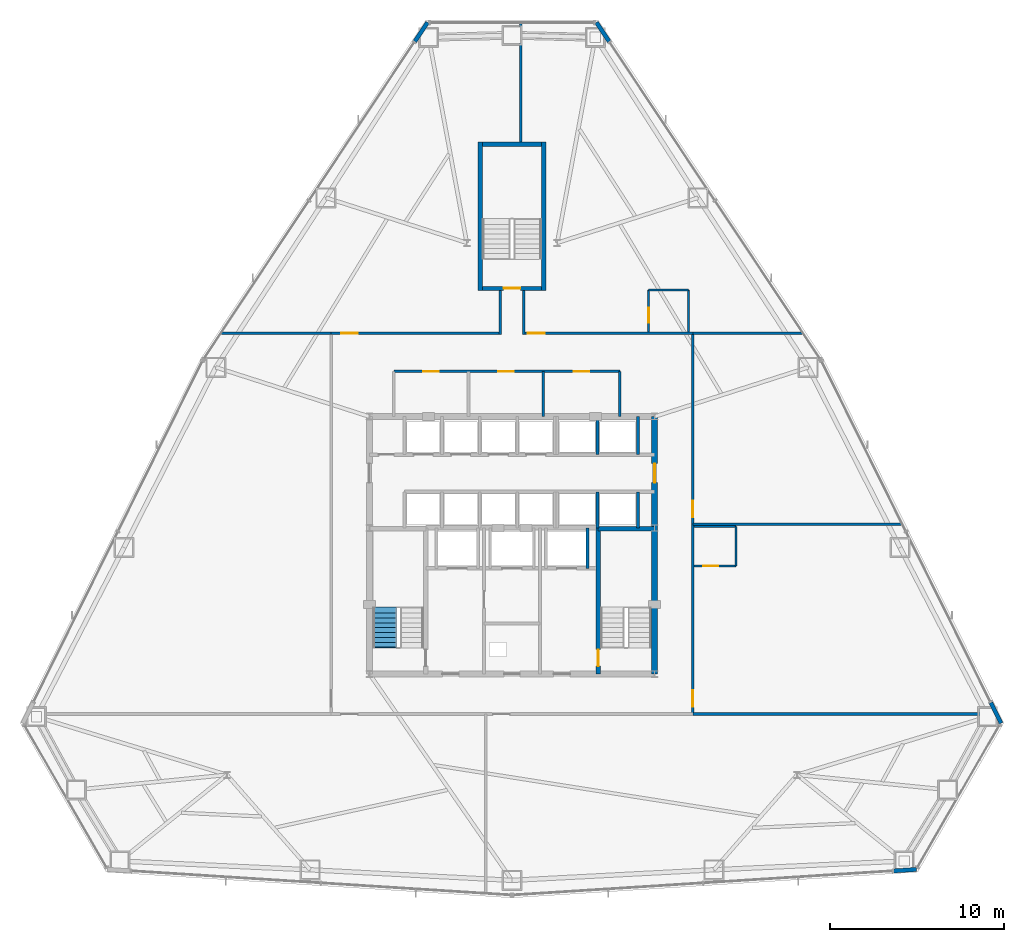
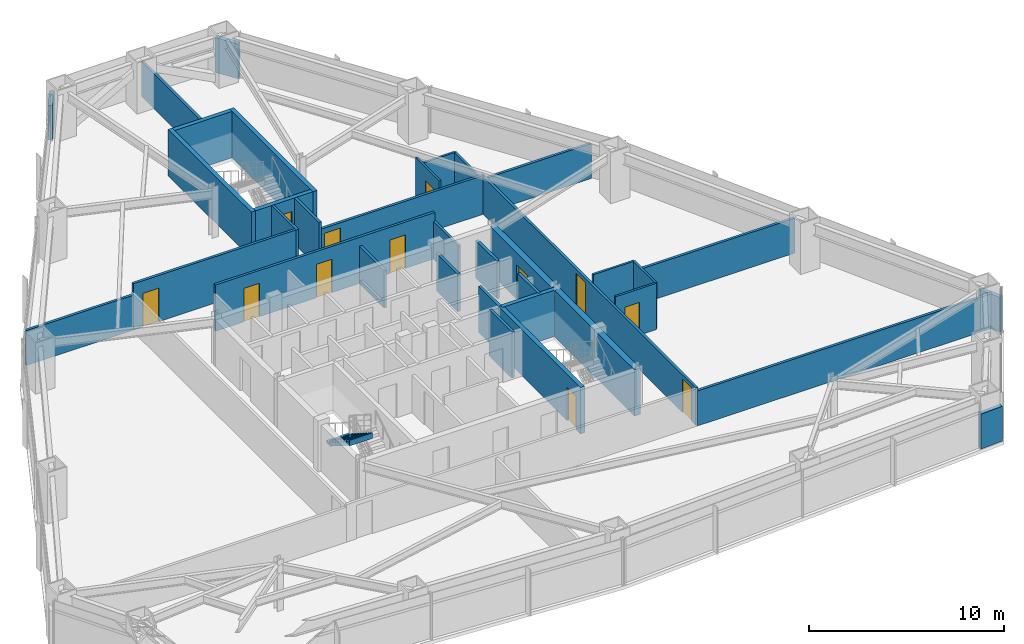
# One storey, part 10 of 12: 35 walls, 12 doors, 1 stair flight, 12 openings, 1 element without a shape of its own.
"""IFC4 building model written with IfcOpenShell, lengths in metres."""

from ifc_helpers import new_model, si_unit, direction, frame, frame_2d, origin, place, context, subcontext, project, spatial, polyline, rectangle, outline, extrude, material, layer, layer_set, type_object, element, fill, aggregate, save


model = new_model("IFC4")

# Units and contexts
model_context = context("Model", 3, precision=1e-05, world=origin(), true_north=direction((0.0, 1.0)))
body_context = subcontext(model_context, "Body", "Model", "MODEL_VIEW")
ifc_project = project(units=[si_unit("LENGTHUNIT", "METRE"), si_unit("AREAUNIT", "SQUARE_METRE"), si_unit("VOLUMEUNIT", "CUBIC_METRE"), si_unit("PLANEANGLEUNIT", "RADIAN"), si_unit("MASSUNIT", "GRAM", prefix="KILO")], contexts=[model_context])

# Site, building, storey
site_placement = place(None, origin())
site = spatial("IfcSite", under=ifc_project, at=site_placement, CompositionType="ELEMENT")
building_placement = place(site_placement, origin())
building = spatial("IfcBuilding", under=site, at=building_placement, Name="Varakhsha Concourse Tower", CompositionType="ELEMENT")
storey_placement = place(building_placement, frame((0.0, 0.0, 65.60009765625)))
storey = spatial("IfcBuildingStorey", under=building, at=storey_placement, Name="L18", CompositionType="ELEMENT", Elevation=65.60009765625)

# Wall, opening, door
ifc_material_1 = material(Name="Concrete fc 65 MPa", Category="concrete")
ifc_layer_1 = layer(ifc_material_1, 0.35009765625, Name="WL-CORE-350")
ifc_layer_set_1 = layer_set([ifc_layer_1], Name="Concrete fc 65 MPa")
wall_type_1 = type_object("IfcWallType", Name="WL-CORE-350", PredefinedType="SHEAR", material=ifc_layer_set_1)
wall_1_placement = place(storey_placement, frame((48.199951171875, 16.39990234375, 0.0), z_axis=(0.0, 0.0, 1.0), x_axis=(0.0, 1.0, 0.0)))
wall_1 = element("IfcWall", 1, at=wall_1_placement, inside=storey, type_object=wall_type_1, Name="L18 Wall CWALL-E-L18", PredefinedType="SHEAR", context=body_context, shape_type="SweptSolid", body=[
    extrude(rectangle(XDim=14.800048828125, YDim=0.35009765625, at=frame_2d((7.39990234375, 0.0))), origin(), (0.0, 0.0, 1.0), 2.89990234375),
])
opening_1_placement = place(wall_1_placement, frame((11.0, 0.0, 0.0)))
opening_1 = element("IfcOpeningElement", 2, at=opening_1_placement, cuts=wall_1, Name="Opening DL-01", PredefinedType="OPENING", context=body_context, shape_type="SweptSolid", body=[
    extrude(rectangle(XDim=1.10009765625, YDim=2.14990234375, at=frame_2d((0.550048828125, 1.074951171875))), frame((0.0, 0.18505859375, 0.0), z_axis=(0.0, -1.0, 0.0), x_axis=(1.0, 0.0, 0.0)), (0.0, 0.0, 1.0), 0.3701171875),
])
ifc_material_2 = material(Name="Anodised Bronze Architectural Aluminium AA 6063-T6", Category="aluminium")
door_type_1 = type_object("IfcDoorType", Name="DR-LOB-1100", OperationType="NOTDEFINED", PredefinedType="DOOR", material=ifc_material_2)
door_1_placement = place(opening_1_placement, origin())
door_1 = element("IfcDoor", 3, at=door_1_placement, inside=storey, type_object=door_type_1, Name="L18 Lift Lobby East Concourse Door", OperationType="SINGLE_SWING_RIGHT", OverallHeight=2.14990234375, OverallWidth=1.10009765625, PredefinedType="DOOR", context=body_context, shape_type="SweptSolid", body=[
    extrude(rectangle(XDim=1.10009765625, YDim=2.14990234375, at=frame_2d((0.550048828125, 1.074951171875))), frame((0.0, 0.02490234375, 0.0), z_axis=(0.0, -1.0, 0.0), x_axis=(1.0, 0.0, 0.0)), (0.0, 0.0, 1.0), 0.050048828125),
])
fill(opening_1, door_1)

# Walls
ifc_material_3 = material(Name="Concrete fc 45 MPa", Category="concrete")
ifc_layer_2 = layer(ifc_material_3, 0.239990234375, Name="WL-EXT-CRN-240")
ifc_layer_set_2 = layer_set([ifc_layer_2], Name="Concrete fc 45 MPa")
wall_type_2 = type_object("IfcWallType", Name="WL-EXT-CRN-240", PredefinedType="SHEAR", material=ifc_layer_set_2)
wall_2_placement = place(storey_placement, frame((35.1435546875, 53.876220703125, 0.0), z_axis=(0.0, 0.0, 1.0), x_axis=(-0.553976279589, -0.832532450811, 0.0)))
element("IfcWall", 4, at=wall_2_placement, inside=storey, type_object=wall_type_2, Name="L18 Wind-Corner Shoulder Wall F2", PredefinedType="SHEAR", context=body_context, shape_type="SweptSolid", body=[
    extrude(rectangle(XDim=1.323486328125, YDim=0.239990234375, at=frame_2d((0.66162109375, 0.0))), origin(), (0.0, 0.0, 1.0), 2.182861328125),
])
wall_3_placement = place(storey_placement, frame((61.951171875, 5.072021484375, 0.0), z_axis=(0.0, 0.0, 1.0), x_axis=(0.997985265632, 0.063446115575, 0.0)))
element("IfcWall", 5, at=wall_3_placement, inside=storey, type_object=wall_type_2, Name="L18 Wind-Corner Shoulder Wall F6", PredefinedType="SHEAR", context=body_context, shape_type="SweptSolid", body=[
    extrude(rectangle(XDim=1.32373046875, YDim=0.239990234375, at=frame_2d((0.661865234375, 0.0))), origin(), (0.0, 0.0, 1.0), 2.182861328125),
])
for number, where, z_axis, x_axis, name in (
    (6, (68.128662109375, 13.56787109375, 0.0), (0.0, 0.0, 1.0), (-0.444037765369, 0.896008070793, 0.0), "L18 Wind-Corner Shoulder Wall F8"),
    (7, (45.589599609375, 52.7744140625, 0.0), (0.0, 0.0, 1.0), (-0.553976279589, 0.832532450811, 0.0), "L18 Wind-Corner Shoulder Wall F9"),
):
    element("IfcWall", number, at=place(storey_placement, frame(where, z_axis=z_axis, x_axis=x_axis)), inside=storey, type_object=wall_type_2, Name=name, PredefinedType="SHEAR", context=body_context, shape_type="SweptSolid", body=[
        extrude(rectangle(XDim=1.323486328125, YDim=0.239990234375, at=frame_2d((0.66162109375, 0.0))), origin(), (0.0, 0.0, 1.0), 2.182861328125),
    ])
ifc_material_4 = material(Name="Acoustic Gypsum Board Partition Assembly", Category="gypsum")
ifc_layer_3 = layer(ifc_material_4, 0.1201171875, Name="WL-PART-120")
ifc_layer_set_3 = layer_set([ifc_layer_3], Name="Acoustic Gypsum Board Partition Assembly")
wall_type_3 = type_object("IfcWallType", Name="WL-PART-120", PredefinedType="PARTITIONING", material=ifc_layer_set_3)
wall_4_placement = place(storey_placement, frame((52.889892578125, 22.610107421875, 0.0), z_axis=(0.0, 0.0, 1.0), x_axis=(0.0, 1.0, 0.0)))
element("IfcWall", 8, at=wall_4_placement, inside=storey, type_object=wall_type_3, Name="L18 Wall ENSW-E-L18-H04", PredefinedType="PARTITIONING", context=body_context, shape_type="SweptSolid", body=[
    extrude(rectangle(XDim=2.27978515625, YDim=0.1201171875, at=frame_2d((1.139892578125, 0.0))), origin(), (0.0, 0.0, 1.0), 2.89990234375),
])

# Wall, opening, door
wall_5_placement = place(storey_placement, frame((50.4599609375, 22.610107421875, 0.0), z_axis=(0.0, 0.0, 1.0), x_axis=(1.0, 0.0, 0.0)))
wall_5 = element("IfcWall", 9, at=wall_5_placement, inside=storey, type_object=wall_type_3, Name="L18 Wall ENSW-S-L18-H04", PredefinedType="PARTITIONING", context=body_context, shape_type="SweptSolid", body=[
    extrude(rectangle(XDim=2.429931640625, YDim=0.1201171875, at=frame_2d((1.21484375, 0.0))), origin(), (0.0, 0.0, 1.0), 2.89990234375),
])
opening_2_placement = place(wall_5_placement, frame((0.550048828125, 0.0, 0.0)))
opening_2 = element("IfcOpeningElement", 10, at=opening_2_placement, cuts=wall_5, Name="Opening DI-01", PredefinedType="OPENING", context=body_context, shape_type="SweptSolid", body=[
    extrude(rectangle(XDim=0.85009765625, YDim=2.050048828125, at=frame_2d((0.425048828125, 1.02490234375))), frame((0.0, 0.070068359375, 0.0), z_axis=(0.0, -1.0, 0.0), x_axis=(1.0, 0.0, 0.0)), (0.0, 0.0, 1.0), 0.14013671875),
])
ifc_material_5 = material(Name="Architectural Walnut Acoustic Timber Door", Category="wood")
door_type_2 = type_object("IfcDoorType", Name="DR-INT-850", OperationType="NOTDEFINED", PredefinedType="DOOR", material=ifc_material_5)
door_2_placement = place(opening_2_placement, origin())
door_2 = element("IfcDoor", 11, at=door_2_placement, inside=storey, type_object=door_type_2, Name="L18 En-suite Bathroom Door L18-H04", OperationType="SINGLE_SWING_RIGHT", OverallHeight=2.050048828125, OverallWidth=0.85009765625, PredefinedType="DOOR", context=body_context, shape_type="SweptSolid", body=[
    extrude(rectangle(XDim=0.85009765625, YDim=2.050048828125, at=frame_2d((0.425048828125, 1.02490234375))), frame((0.0, 0.02490234375, 0.0), z_axis=(0.0, -1.0, 0.0), x_axis=(1.0, 0.0, 0.0)), (0.0, 0.0, 1.0), 0.050048828125),
])
fill(opening_2, door_2)

# Wall
wall_6_placement = place(storey_placement, frame((50.4599609375, 24.889892578125, 0.0), z_axis=(0.0, 0.0, 1.0), x_axis=(1.0, 0.0, 0.0)))
element("IfcWall", 12, at=wall_6_placement, inside=storey, type_object=wall_type_3, Name="L18 Wall ENSW-N-L18-H04", PredefinedType="PARTITIONING", context=body_context, shape_type="SweptSolid", body=[
    extrude(rectangle(XDim=2.429931640625, YDim=0.1201171875, at=frame_2d((1.21484375, 0.0))), origin(), (0.0, 0.0, 1.0), 2.89990234375),
])

# Wall, opening, door
wall_7_placement = place(storey_placement, frame((47.860107421875, 36.06005859375, 0.0), z_axis=(0.0, 0.0, 1.0), x_axis=(0.0, 1.0, 0.0)))
wall_7 = element("IfcWall", 13, at=wall_7_placement, inside=storey, type_object=wall_type_3, Name="L18 Wall ENSW-W-L18-H07", PredefinedType="PARTITIONING", context=body_context, shape_type="SweptSolid", body=[
    extrude(rectangle(XDim=2.429931640625, YDim=0.1201171875, at=frame_2d((1.21484375, 0.0))), origin(), (0.0, 0.0, 1.0), 2.89990234375),
])
opening_3_placement = place(wall_7_placement, frame((0.550048828125, 0.0, 0.0)))
opening_3 = element("IfcOpeningElement", 14, at=opening_3_placement, cuts=wall_7, Name="Opening DI-01", PredefinedType="OPENING", context=body_context, shape_type="SweptSolid", body=[
    extrude(rectangle(XDim=0.85009765625, YDim=2.050048828125, at=frame_2d((0.425048828125, 1.02490234375))), frame((0.0, 0.070068359375, 0.0), z_axis=(0.0, -1.0, 0.0), x_axis=(1.0, 0.0, 0.0)), (0.0, 0.0, 1.0), 0.14013671875),
])
door_3_placement = place(opening_3_placement, origin())
door_3 = element("IfcDoor", 15, at=door_3_placement, inside=storey, type_object=door_type_2, Name="L18 En-suite Bathroom Door L18-H07", OperationType="SINGLE_SWING_RIGHT", OverallHeight=2.050048828125, OverallWidth=0.85009765625, PredefinedType="DOOR", context=body_context, shape_type="SweptSolid", body=[
    extrude(rectangle(XDim=0.85009765625, YDim=2.050048828125, at=frame_2d((0.425048828125, 1.02490234375))), frame((0.0, 0.02490234375, 0.0), z_axis=(0.0, -1.0, 0.0), x_axis=(1.0, 0.0, 0.0)), (0.0, 0.0, 1.0), 0.050048828125),
])
fill(opening_3, door_3)

# Walls
wall_8_placement = place(storey_placement, frame((50.139892578125, 36.06005859375, 0.0), z_axis=(0.0, 0.0, 1.0), x_axis=(0.0, 1.0, 0.0)))
element("IfcWall", 16, at=wall_8_placement, inside=storey, type_object=wall_type_3, Name="L18 Wall ENSW-E-L18-H07", PredefinedType="PARTITIONING", context=body_context, shape_type="SweptSolid", body=[
    extrude(rectangle(XDim=2.429931640625, YDim=0.1201171875, at=frame_2d((1.21484375, 0.0))), origin(), (0.0, 0.0, 1.0), 2.432861328125),
])
wall_9_placement = place(storey_placement, frame((47.860107421875, 38.489990234375, 0.0), z_axis=(0.0, 0.0, 1.0), x_axis=(1.0, 0.0, 0.0)))
element("IfcWall", 17, at=wall_9_placement, inside=storey, type_object=wall_type_3, Name="L18 Wall ENSW-N-L18-H07", PredefinedType="PARTITIONING", context=body_context, shape_type="SweptSolid", body=[
    extrude(rectangle(XDim=2.27978515625, YDim=0.1201171875, at=frame_2d((1.139892578125, 0.0))), origin(), (0.0, 0.0, 1.0), 2.432861328125),
])

# Wall, openings, doors
ifc_material_6 = material(Name="Fire-Rated Type X Gypsum Partition Assembly", Category="gypsum")
ifc_layer_4 = layer(ifc_material_6, 0.14990234375, Name="WL-PART-150")
ifc_layer_set_4 = layer_set([ifc_layer_4], Name="Fire-Rated Type X Gypsum Partition Assembly")
wall_type_4 = type_object("IfcWallType", Name="WL-PART-150", PredefinedType="PARTITIONING", material=ifc_layer_set_4)
wall_10_placement = place(storey_placement, frame((33.199951171875, 33.800048828125, 0.0), z_axis=(0.0, 0.0, 1.0), x_axis=(1.0, 0.0, 0.0)))
wall_10 = element("IfcWall", 18, at=wall_10_placement, inside=storey, type_object=wall_type_4, Name="L18 Wall NBOH-N-L18", PredefinedType="PARTITIONING", context=body_context, shape_type="SweptSolid", body=[
    extrude(rectangle(XDim=13.0, YDim=0.14990234375, at=frame_2d((6.5, 0.0))), origin(), (0.0, 0.0, 1.0), 2.89990234375),
])
opening_4_placement = place(wall_10_placement, frame((1.699951171875, 0.0, 0.0)))
opening_4 = element("IfcOpeningElement", 19, at=opening_4_placement, cuts=wall_10, Name="Opening DF-06", PredefinedType="OPENING", context=body_context, shape_type="SweptSolid", body=[
    extrude(rectangle(XDim=0.89990234375, YDim=2.10009765625, at=frame_2d((0.449951171875, 1.050048828125))), frame((0.0, 0.0849609375, 0.0), z_axis=(0.0, -1.0, 0.0), x_axis=(1.0, 0.0, 0.0)), (0.0, 0.0, 1.0), 0.169921875),
])
opening_5_placement = place(wall_10_placement, frame((6.0, 0.0, 0.0)))
opening_5 = element("IfcOpeningElement", 20, at=opening_5_placement, cuts=wall_10, Name="Opening DF-06", PredefinedType="OPENING", context=body_context, shape_type="SweptSolid", body=[
    extrude(rectangle(XDim=0.89990234375, YDim=2.10009765625, at=frame_2d((0.449951171875, 1.050048828125))), frame((0.0, 0.0849609375, 0.0), z_axis=(0.0, -1.0, 0.0), x_axis=(1.0, 0.0, 0.0)), (0.0, 0.0, 1.0), 0.169921875),
])
opening_6_placement = place(wall_10_placement, frame((10.35009765625, 0.0, 0.0)))
opening_6 = element("IfcOpeningElement", 21, at=opening_6_placement, cuts=wall_10, Name="Opening DF-06", PredefinedType="OPENING", context=body_context, shape_type="SweptSolid", body=[
    extrude(rectangle(XDim=0.89990234375, YDim=2.10009765625, at=frame_2d((0.449951171875, 1.050048828125))), frame((0.0, 0.0849609375, 0.0), z_axis=(0.0, -1.0, 0.0), x_axis=(1.0, 0.0, 0.0)), (0.0, 0.0, 1.0), 0.169921875),
])
ifc_material_7 = material(Name="Hollow Galvanised Steel Fire Door Assembly", Category="steel")
door_type_3 = type_object("IfcDoorType", Name="DR-FD60-900", OperationType="NOTDEFINED", PredefinedType="DOOR", material=ifc_material_7)
door_4_placement = place(opening_4_placement, origin())
door_4 = element("IfcDoor", 22, at=door_4_placement, inside=storey, type_object=door_type_3, Name="L18 Housekeeping and Linen Room Door", OperationType="SINGLE_SWING_LEFT", OverallHeight=2.10009765625, OverallWidth=0.89990234375, PredefinedType="DOOR", context=body_context, shape_type="SweptSolid", body=[
    extrude(rectangle(XDim=0.89990234375, YDim=2.10009765625, at=frame_2d((0.449951171875, 1.050048828125))), frame((0.0, 0.02490234375, 0.0), z_axis=(0.0, -1.0, 0.0), x_axis=(1.0, 0.0, 0.0)), (0.0, 0.0, 1.0), 0.050048828125),
])
fill(opening_4, door_4)
door_5_placement = place(opening_5_placement, origin())
door_5 = element("IfcDoor", 23, at=door_5_placement, inside=storey, type_object=door_type_3, Name="L18 Accessible WC Door", OperationType="SINGLE_SWING_RIGHT", OverallHeight=2.10009765625, OverallWidth=0.89990234375, PredefinedType="DOOR", context=body_context, shape_type="SweptSolid", body=[
    extrude(rectangle(XDim=0.89990234375, YDim=2.10009765625, at=frame_2d((0.449951171875, 1.050048828125))), frame((0.0, 0.02490234375, 0.0), z_axis=(0.0, -1.0, 0.0), x_axis=(1.0, 0.0, 0.0)), (0.0, 0.0, 1.0), 0.050048828125),
])
fill(opening_5, door_5)
door_6_placement = place(opening_6_placement, origin())
door_6 = element("IfcDoor", 24, at=door_6_placement, inside=storey, type_object=door_type_3, Name="L18 Staff Restroom WC Door", OperationType="SINGLE_SWING_LEFT", OverallHeight=2.10009765625, OverallWidth=0.89990234375, PredefinedType="DOOR", context=body_context, shape_type="SweptSolid", body=[
    extrude(rectangle(XDim=0.89990234375, YDim=2.10009765625, at=frame_2d((0.449951171875, 1.050048828125))), frame((0.0, 0.02490234375, 0.0), z_axis=(0.0, -1.0, 0.0), x_axis=(1.0, 0.0, 0.0)), (0.0, 0.0, 1.0), 0.050048828125),
])
fill(opening_6, door_6)

# Walls
for number, where, z_axis, x_axis, name in (
    (25, (46.199951171875, 31.199951171875, 0.0), (0.0, 0.0, 1.0), (0.0, 1.0, 0.0), "L18 Wall NBOH-E-L18"),
    (26, (41.800048828125, 31.199951171875, 0.0), (0.0, 0.0, 1.0), (0.0, 1.0, 0.0), "L18 Wall NBOH-D2-L18"),
):
    element("IfcWall", number, at=place(storey_placement, frame(where, z_axis=z_axis, x_axis=x_axis)), inside=storey, type_object=wall_type_4, Name=name, PredefinedType="PARTITIONING", context=body_context, shape_type="SweptSolid", body=[
        extrude(rectangle(XDim=2.60009765625, YDim=0.14990234375, at=frame_2d((1.300048828125, 0.0))), origin(), (0.0, 0.0, 1.0), 2.350830078125),
    ])

# Wall, opening, door
wall_11_placement = place(storey_placement, frame((29.60009765625, 36.0, 0.0), z_axis=(0.0, 0.0, 1.0), x_axis=(1.0, 0.0, 0.0)))
wall_11 = element("IfcWall", 27, at=wall_11_placement, inside=storey, type_object=wall_type_4, Name="L18 Wall CRW-N-L18", PredefinedType="PARTITIONING", context=body_context, shape_type="SweptSolid", body=[
    extrude(rectangle(XDim=9.64990234375, YDim=0.14990234375, at=frame_2d((4.824951171875, 0.0))), origin(), (0.0, 0.0, 1.0), 2.89990234375),
])
opening_7_placement = place(wall_11_placement, frame((0.570068359375, 0.0, 0.0)))
opening_7 = element("IfcOpeningElement", 28, at=opening_7_placement, cuts=wall_11, Name="Opening DF-05", PredefinedType="OPENING", context=body_context, shape_type="SweptSolid", body=[
    extrude(rectangle(XDim=0.949951171875, YDim=2.10009765625, at=frame_2d((0.47509765625, 1.050048828125))), frame((0.0, 0.0849609375, 0.0), z_axis=(0.0, -1.0, 0.0), x_axis=(1.0, 0.0, 0.0)), (0.0, 0.0, 1.0), 0.169921875),
])
door_type_4 = type_object("IfcDoorType", Name="DR-FD60-950", OperationType="NOTDEFINED", PredefinedType="DOOR", material=ifc_material_7)
door_7_placement = place(opening_7_placement, origin())
door_7 = element("IfcDoor", 29, at=door_7_placement, inside=storey, type_object=door_type_4, Name="L18 Hotel Executive Salon L18-H06 Door", OperationType="SINGLE_SWING_RIGHT", OverallHeight=2.10009765625, OverallWidth=0.949951171875, PredefinedType="DOOR", context=body_context, shape_type="SweptSolid", body=[
    extrude(rectangle(XDim=0.949951171875, YDim=2.10009765625, at=frame_2d((0.47509765625, 1.050048828125))), frame((0.0, 0.02490234375, 0.0), z_axis=(0.0, -1.0, 0.0), x_axis=(1.0, 0.0, 0.0)), (0.0, 0.0, 1.0), 0.050048828125),
])
fill(opening_7, door_7)

wall_12_placement = place(storey_placement, frame((40.75, 36.0, 0.0), z_axis=(0.0, 0.0, 1.0), x_axis=(1.0, 0.0, 0.0)))
wall_12 = element("IfcWall", 30, at=wall_12_placement, inside=storey, type_object=wall_type_4, Name="L18 Wall CRW-N-L18-B", PredefinedType="PARTITIONING", context=body_context, shape_type="SweptSolid", body=[
    extrude(rectangle(XDim=9.64990234375, YDim=0.14990234375, at=frame_2d((4.824951171875, 0.0))), origin(), (0.0, 0.0, 1.0), 2.432861328125),
])
opening_8_placement = place(wall_12_placement, frame((0.169921875, 0.0, 0.0)))
opening_8 = element("IfcOpeningElement", 31, at=opening_8_placement, cuts=wall_12, Name="Opening DF-05", PredefinedType="OPENING", context=body_context, shape_type="SweptSolid", body=[
    extrude(rectangle(XDim=0.949951171875, YDim=2.10009765625, at=frame_2d((0.47509765625, 1.050048828125))), frame((0.0, 0.0849609375, 0.0), z_axis=(0.0, -1.0, 0.0), x_axis=(1.0, 0.0, 0.0)), (0.0, 0.0, 1.0), 0.169921875),
])
door_8_placement = place(opening_8_placement, origin())
door_8 = element("IfcDoor", 32, at=door_8_placement, inside=storey, type_object=door_type_4, Name="L18 Hotel Corner Suite L18-H07 Entry Door", OperationType="SINGLE_SWING_LEFT", OverallHeight=2.10009765625, OverallWidth=0.949951171875, PredefinedType="DOOR", context=body_context, shape_type="SweptSolid", body=[
    extrude(rectangle(XDim=0.949951171875, YDim=2.10009765625, at=frame_2d((0.47509765625, 1.050048828125))), frame((0.0, 0.02490234375, 0.0), z_axis=(0.0, -1.0, 0.0), x_axis=(1.0, 0.0, 0.0)), (0.0, 0.0, 1.0), 0.050048828125),
])
fill(opening_8, door_8)

# Wall, openings, doors
wall_13_placement = place(storey_placement, frame((50.39990234375, 14.10009765625, 0.0), z_axis=(0.0, 0.0, 1.0), x_axis=(0.0, 1.0, 0.0)))
wall_13 = element("IfcWall", 33, at=wall_13_placement, inside=storey, type_object=wall_type_4, Name="L18 Wall CRW-E-L18", PredefinedType="PARTITIONING", context=body_context, shape_type="SweptSolid", body=[
    extrude(rectangle(XDim=21.89990234375, YDim=0.14990234375, at=frame_2d((10.949951171875, 0.0))), origin(), (0.0, 0.0, 1.0), 2.350830078125),
])
opening_9_placement = place(wall_13_placement, frame((0.419921875, 0.0, 0.0)))
opening_9 = element("IfcOpeningElement", 34, at=opening_9_placement, cuts=wall_13, Name="Opening DF-05", PredefinedType="OPENING", context=body_context, shape_type="SweptSolid", body=[
    extrude(rectangle(XDim=0.949951171875, YDim=2.10009765625, at=frame_2d((0.47509765625, 1.050048828125))), frame((0.0, 0.0849609375, 0.0), z_axis=(0.0, -1.0, 0.0), x_axis=(1.0, 0.0, 0.0)), (0.0, 0.0, 1.0), 0.169921875),
])
opening_10_placement = place(wall_13_placement, frame((11.320068359375, 0.0, 0.0)))
opening_10 = element("IfcOpeningElement", 35, at=opening_10_placement, cuts=wall_13, Name="Opening DF-05", PredefinedType="OPENING", context=body_context, shape_type="SweptSolid", body=[
    extrude(rectangle(XDim=0.949951171875, YDim=2.10009765625, at=frame_2d((0.47509765625, 1.050048828125))), frame((0.0, 0.0849609375, 0.0), z_axis=(0.0, -1.0, 0.0), x_axis=(1.0, 0.0, 0.0)), (0.0, 0.0, 1.0), 0.169921875),
])
door_9_placement = place(opening_9_placement, origin())
door_9 = element("IfcDoor", 36, at=door_9_placement, inside=storey, type_object=door_type_4, Name="L18 Hotel Corner Suite L18-H04 Entry Door", OperationType="SINGLE_SWING_RIGHT", OverallHeight=2.10009765625, OverallWidth=0.949951171875, PredefinedType="DOOR", context=body_context, shape_type="SweptSolid", body=[
    extrude(rectangle(XDim=0.949951171875, YDim=2.10009765625, at=frame_2d((0.47509765625, 1.050048828125))), frame((0.0, 0.02490234375, 0.0), z_axis=(0.0, -1.0, 0.0), x_axis=(1.0, 0.0, 0.0)), (0.0, 0.0, 1.0), 0.050048828125),
])
fill(opening_9, door_9)
door_10_placement = place(opening_10_placement, origin())
door_10 = element("IfcDoor", 37, at=door_10_placement, inside=storey, type_object=door_type_4, Name="L18 Diplomatic Conservatory Salon L18-H05 Door", OperationType="SINGLE_SWING_LEFT", OverallHeight=2.10009765625, OverallWidth=0.949951171875, PredefinedType="DOOR", context=body_context, shape_type="SweptSolid", body=[
    extrude(rectangle(XDim=0.949951171875, YDim=2.10009765625, at=frame_2d((0.47509765625, 1.050048828125))), frame((0.0, 0.02490234375, 0.0), z_axis=(0.0, -1.0, 0.0), x_axis=(1.0, 0.0, 0.0)), (0.0, 0.0, 1.0), 0.050048828125),
])
fill(opening_10, door_10)

# Walls
wall_14_placement = place(storey_placement, frame((23.25732421875, 36.0, 0.0), z_axis=(0.0, 0.0, 1.0), x_axis=(1.0, 0.0, 0.0)))
element("IfcWall", 38, at=wall_14_placement, inside=storey, type_object=wall_type_4, Name="L18 Wall HDIV-WBN-L18", PredefinedType="PARTITIONING", context=body_context, shape_type="SweptSolid", body=[
    extrude(rectangle(XDim=6.3427734375, YDim=0.14990234375, at=frame_2d((3.17138671875, 0.0))), origin(), (0.0, 0.0, 1.0), 2.18798828125),
])
wall_15_placement = place(storey_placement, frame((50.39990234375, 14.10009765625, 0.0), z_axis=(0.0, 0.0, 1.0), x_axis=(1.0, 0.0, 0.0)))
element("IfcWall", 39, at=wall_15_placement, inside=storey, type_object=wall_type_4, Name="L18 Wall HDIV-EB0-L18", PredefinedType="PARTITIONING", context=body_context, shape_type="SweptSolid", body=[
    extrude(rectangle(XDim=17.45947265625, YDim=0.14990234375, at=frame_2d((8.729736328125, 0.0))), origin(), (0.0, 0.0, 1.0), 2.18798828125),
])
wall_16_placement = place(storey_placement, frame((50.39990234375, 36.0, 0.0), z_axis=(0.0, 0.0, 1.0), x_axis=(1.0, 0.0, 0.0)))
element("IfcWall", 40, at=wall_16_placement, inside=storey, type_object=wall_type_4, Name="L18 Wall HDIV-EBN-L18", PredefinedType="PARTITIONING", context=body_context, shape_type="SweptSolid", body=[
    extrude(rectangle(XDim=6.3427734375, YDim=0.14990234375, at=frame_2d((3.17138671875, 0.0))), origin(), (0.0, 0.0, 1.0), 2.18798828125),
])
wall_17_placement = place(storey_placement, frame((50.39990234375, 25.0, 0.0), z_axis=(0.0, 0.0, 1.0), x_axis=(1.0, 0.0, 0.0)))
element("IfcWall", 41, at=wall_17_placement, inside=storey, type_object=wall_type_4, Name="L18 Wall HDIV-E1-L18", PredefinedType="PARTITIONING", context=body_context, shape_type="SweptSolid", body=[
    extrude(rectangle(XDim=12.056396484375, YDim=0.14990234375, at=frame_2d((6.0283203125, 0.0))), origin(), (0.0, 0.0, 1.0), 2.18798828125),
])
wall_18_placement = place(storey_placement, frame((40.5, 47.0, 0.0), z_axis=(0.0, 0.0, 1.0), x_axis=(0.0, 1.0, 0.0)))
element("IfcWall", 42, at=wall_18_placement, inside=storey, type_object=wall_type_4, Name="L18 Wall HDIV-N1-L18", PredefinedType="PARTITIONING", context=body_context, shape_type="SweptSolid", body=[
    extrude(rectangle(XDim=6.84912109375, YDim=0.14990234375, at=frame_2d((3.424560546875, 0.0))), origin(), (0.0, 0.0, 1.0), 2.18798828125),
])
for number, where, z_axis, x_axis, name in (
    (43, (39.324951171875, 35.925048828125, 0.0), (0.0, 0.0, 1.0), (0.0, 1.0, 0.0), "L18 Wall STUB-W-L18"),
    (44, (40.675048828125, 35.925048828125, 0.0), (0.0, 0.0, 1.0), (0.0, 1.0, 0.0), "L18 Wall STUB-E-L18"),
):
    element("IfcWall", number, at=place(storey_placement, frame(where, z_axis=z_axis, x_axis=x_axis)), inside=storey, type_object=wall_type_4, Name=name, PredefinedType="PARTITIONING", context=body_context, shape_type="SweptSolid", body=[
        extrude(rectangle(XDim=2.52490234375, YDim=0.14990234375, at=frame_2d((1.262451171875, 0.0))), origin(), (0.0, 0.0, 1.0), 2.89990234375),
    ])
ifc_layer_5 = layer(ifc_material_6, 0.199951171875, Name="WL-SHAFT-220")
ifc_layer_set_5 = layer_set([ifc_layer_5], Name="Fire-Rated Type X Gypsum Partition Assembly")
wall_type_5 = type_object("IfcWallType", Name="WL-SHAFT-220", PredefinedType="SOLIDWALL", material=ifc_layer_set_5)
wall_19_placement = place(storey_placement, frame((44.35009765625, 22.47998046875, 0.0), z_axis=(0.0, 0.0, 1.0), x_axis=(0.0, 1.0, 0.0)))
element("IfcWall", 45, at=wall_19_placement, inside=storey, type_object=wall_type_5, Name="L18 Wall SHW-FFL-2-E-L18", PredefinedType="SOLIDWALL", context=body_context, shape_type="SweptSolid", body=[
    extrude(rectangle(XDim=2.320068359375, YDim=0.159912109375, at=frame_2d((1.16015625, 0.0))), origin(), (0.0, 0.0, 1.0), 2.89990234375),
])
for number, where, z_axis, x_axis, name in (
    (46, (44.919921875, 29.02001953125, 0.0), (0.0, 0.0, 1.0), (0.0, 1.0, 0.0), "L18 Wall SHW-LF-P09-E-L18"),
    (47, (47.239990234375, 29.02001953125, 0.0), (0.0, 0.0, 1.0), (0.0, 1.0, 0.0), "L18 Wall SHW-LF-P10-E-L18"),
):
    element("IfcWall", number, at=place(storey_placement, frame(where, z_axis=z_axis, x_axis=x_axis)), inside=storey, type_object=wall_type_5, Name=name, PredefinedType="SOLIDWALL", context=body_context, shape_type="SweptSolid", body=[
        extrude(rectangle(XDim=2.179931640625, YDim=0.159912109375, at=frame_2d((1.08984375, 0.0))), origin(), (0.0, 0.0, 1.0), 2.350830078125),
    ])
for number, where, z_axis, x_axis, name in (
    (48, (44.919921875, 24.800048828125, 0.0), (0.0, 0.0, 1.0), (0.0, 1.0, 0.0), "L18 Wall SHW-LF-P11-E-L18"),
    (49, (47.239990234375, 24.800048828125, 0.0), (0.0, 0.0, 1.0), (0.0, 1.0, 0.0), "L18 Wall SHW-LF-P12-E-L18"),
):
    element("IfcWall", number, at=place(storey_placement, frame(where, z_axis=z_axis, x_axis=x_axis)), inside=storey, type_object=wall_type_5, Name=name, PredefinedType="SOLIDWALL", context=body_context, shape_type="SweptSolid", body=[
        extrude(rectangle(XDim=2.079833984375, YDim=0.159912109375, at=frame_2d((1.0400390625, 0.0))), origin(), (0.0, 0.0, 1.0), 2.89990234375),
    ])

# Wall, opening, door
ifc_layer_6 = layer(ifc_material_3, 0.25, Name="WL-STAIR-250")
ifc_layer_set_6 = layer_set([ifc_layer_6], Name="Concrete fc 45 MPa")
wall_type_6 = type_object("IfcWallType", Name="WL-STAIR-250", PredefinedType="SHEAR", material=ifc_layer_set_6)
wall_20_placement = place(storey_placement, frame((44.955078125, 16.39990234375, 0.0), z_axis=(0.0, 0.0, 1.0), x_axis=(0.0, 1.0, 0.0)))
wall_20 = element("IfcWall", 50, at=wall_20_placement, inside=storey, type_object=wall_type_6, Name="L18 Wall SWALL-ST2-W-L18", PredefinedType="SHEAR", context=body_context, shape_type="SweptSolid", body=[
    extrude(rectangle(XDim=8.400146484375, YDim=0.25, at=frame_2d((4.2001953125, 0.0))), origin(), (0.0, 0.0, 1.0), 2.89990234375),
])
opening_11_placement = place(wall_20_placement, frame((0.449951171875, 0.0, 0.0)))
opening_11 = element("IfcOpeningElement", 51, at=opening_11_placement, cuts=wall_20, Name="Opening DF-03", PredefinedType="OPENING", context=body_context, shape_type="SweptSolid", body=[
    extrude(rectangle(XDim=0.949951171875, YDim=2.10009765625, at=frame_2d((0.47509765625, 1.050048828125))), frame((0.0, 0.135009765625, 0.0), z_axis=(0.0, -1.0, 0.0), x_axis=(1.0, 0.0, 0.0)), (0.0, 0.0, 1.0), 0.27001953125),
])
door_type_5 = type_object("IfcDoorType", Name="DR-FD90-950", OperationType="NOTDEFINED", PredefinedType="DOOR", material=ifc_material_7)
door_11_placement = place(opening_11_placement, origin())
door_11 = element("IfcDoor", 52, at=door_11_placement, inside=storey, type_object=door_type_5, Name="L18 Stair ST2 Fire Door", OperationType="SINGLE_SWING_RIGHT", OverallHeight=2.10009765625, OverallWidth=0.949951171875, PredefinedType="DOOR", context=body_context, shape_type="SweptSolid", body=[
    extrude(rectangle(XDim=0.949951171875, YDim=2.10009765625, at=frame_2d((0.47509765625, 1.050048828125))), frame((0.0, 0.02490234375, 0.0), z_axis=(0.0, -1.0, 0.0), x_axis=(1.0, 0.0, 0.0)), (0.0, 0.0, 1.0), 0.050048828125),
])
fill(opening_11, door_11)

# Walls
wall_21_placement = place(storey_placement, frame((44.955078125, 24.7548828125, 0.0), z_axis=(0.0, 0.0, 1.0), x_axis=(1.0, 0.0, 0.0)))
element("IfcWall", 53, at=wall_21_placement, inside=storey, type_object=wall_type_6, Name="L18 Wall SWALL-ST2-N-L18", PredefinedType="SHEAR", context=body_context, shape_type="SweptSolid", body=[
    extrude(rectangle(XDim=3.244873046875, YDim=0.25, at=frame_2d((1.62255859375, 0.0))), origin(), (0.0, 0.0, 1.0), 2.89990234375),
])
for number, where, z_axis, x_axis, name in (
    (54, (38.175048828125, 38.449951171875, 0.0), (0.0, 0.0, 1.0), (0.0, 1.0, 0.0), "L18 Wall SWALL-ST5-W-L18"),
    (55, (41.824951171875, 38.449951171875, 0.0), (0.0, 0.0, 1.0), (0.0, 1.0, 0.0), "L18 Wall SWALL-ST5-E-L18"),
):
    element("IfcWall", number, at=place(storey_placement, frame(where, z_axis=z_axis, x_axis=x_axis)), inside=storey, type_object=wall_type_6, Name=name, PredefinedType="SHEAR", context=body_context, shape_type="SweptSolid", body=[
        extrude(rectangle(XDim=8.550048828125, YDim=0.25, at=frame_2d((4.27490234375, 0.0))), origin(), (0.0, 0.0, 1.0), 2.89990234375),
    ])

# Wall, opening, door
wall_22_placement = place(storey_placement, frame((38.300048828125, 38.574951171875, 0.0), z_axis=(0.0, 0.0, 1.0), x_axis=(1.0, 0.0, 0.0)))
wall_22 = element("IfcWall", 56, at=wall_22_placement, inside=storey, type_object=wall_type_6, Name="L18 Wall SWALL-ST5-S-L18", PredefinedType="SHEAR", context=body_context, shape_type="SweptSolid", body=[
    extrude(rectangle(XDim=3.39990234375, YDim=0.25, at=frame_2d((1.699951171875, 0.0))), origin(), (0.0, 0.0, 1.0), 2.89990234375),
])
opening_12_placement = place(wall_22_placement, frame((1.22509765625, 0.0, 0.0)))
opening_12 = element("IfcOpeningElement", 57, at=opening_12_placement, cuts=wall_22, Name="Opening DF-03", PredefinedType="OPENING", context=body_context, shape_type="SweptSolid", body=[
    extrude(rectangle(XDim=0.949951171875, YDim=2.10009765625, at=frame_2d((0.47509765625, 1.050048828125))), frame((0.0, 0.135009765625, 0.0), z_axis=(0.0, -1.0, 0.0), x_axis=(1.0, 0.0, 0.0)), (0.0, 0.0, 1.0), 0.27001953125),
])
door_12_placement = place(opening_12_placement, origin())
door_12 = element("IfcDoor", 58, at=door_12_placement, inside=storey, type_object=door_type_5, Name="L18 Stair ST5 Fire Door", OperationType="SINGLE_SWING_RIGHT", OverallHeight=2.10009765625, OverallWidth=0.949951171875, PredefinedType="DOOR", context=body_context, shape_type="SweptSolid", body=[
    extrude(rectangle(XDim=0.949951171875, YDim=2.10009765625, at=frame_2d((0.47509765625, 1.050048828125))), frame((0.0, 0.02490234375, 0.0), z_axis=(0.0, -1.0, 0.0), x_axis=(1.0, 0.0, 0.0)), (0.0, 0.0, 1.0), 0.050048828125),
])
fill(opening_12, door_12)

# Wall
wall_23_placement = place(storey_placement, frame((38.300048828125, 46.875, 0.0), z_axis=(0.0, 0.0, 1.0), x_axis=(1.0, 0.0, 0.0)))
element("IfcWall", 59, at=wall_23_placement, inside=storey, type_object=wall_type_6, Name="L18 Wall SWALL-ST5-N-L18", PredefinedType="SHEAR", context=body_context, shape_type="SweptSolid", body=[
    extrude(rectangle(XDim=3.39990234375, YDim=0.25, at=frame_2d((1.699951171875, 0.0))), origin(), (0.0, 0.0, 1.0), 2.89990234375),
])

# Stair, stair flight
stair_type = type_object("IfcStairType", Name="ST-DOGLEG-1360", PredefinedType="HALF_TURN_STAIR", material=ifc_material_3)
stair_placement = place(storey_placement, origin())
stair = element("IfcStair", 60, at=stair_placement, inside=storey, type_object=stair_type, Name="L18 Protected Exit Stair ST1", PredefinedType="HALF_TURN_STAIR")
stair_flight_type = type_object("IfcStairFlightType", Name="STF-1360-R1778", PredefinedType="STRAIGHT", material=ifc_material_3)
stair_flight_placement = place(storey_placement, frame((32.679931640625, 20.179931640625, 1.599853515625), z_axis=(0.0, 0.0, 1.0), x_axis=(0.0, -1.0, 0.0)))
stair_flight = element("IfcStairFlight", 61, at=stair_flight_placement, type_object=stair_flight_type, Name="ST1 flight 2", NumberOfRisers=9, NumberOfTreads=8, PredefinedType="STRAIGHT", RiserHeight=0.177777778, TreadLength=0.28, context=body_context, shape_type="SweptSolid", body=[
    extrude(outline(polyline([(-0.06005859375, 0.0), (-0.06005859375, 0.177734375), (0.0, 0.177734375), (0.280029296875, 0.177734375), (0.280029296875, 0.35546875), (0.56005859375, 0.35546875), (0.56005859375, 0.533447265625), (0.840087890625, 0.533447265625), (0.840087890625, 0.711181640625), (1.1201171875, 0.711181640625), (1.1201171875, 0.888916015625), (1.39990234375, 0.888916015625), (1.39990234375, 1.066650390625), (1.679931640625, 1.066650390625), (1.679931640625, 1.244384765625), (1.9599609375, 1.244384765625), (1.9599609375, 1.422119140625), (2.239990234375, 1.422119140625), (2.239990234375, 1.60009765625), (2.300048828125, 1.60009765625), (2.300048828125, 1.24462890625), (2.239990234375, 1.24462890625), (0.27978515625, 0.0), (-0.06005859375, 0.0)])), frame((0.0, 0.68017578125, 0.0), z_axis=(0.0, -1.0, 0.0), x_axis=(1.0, 0.0, 0.0)), (0.0, 0.0, 1.0), 1.360107421875),
])
aggregate(stair, [stair_flight])

save(model, "model.ifc")
